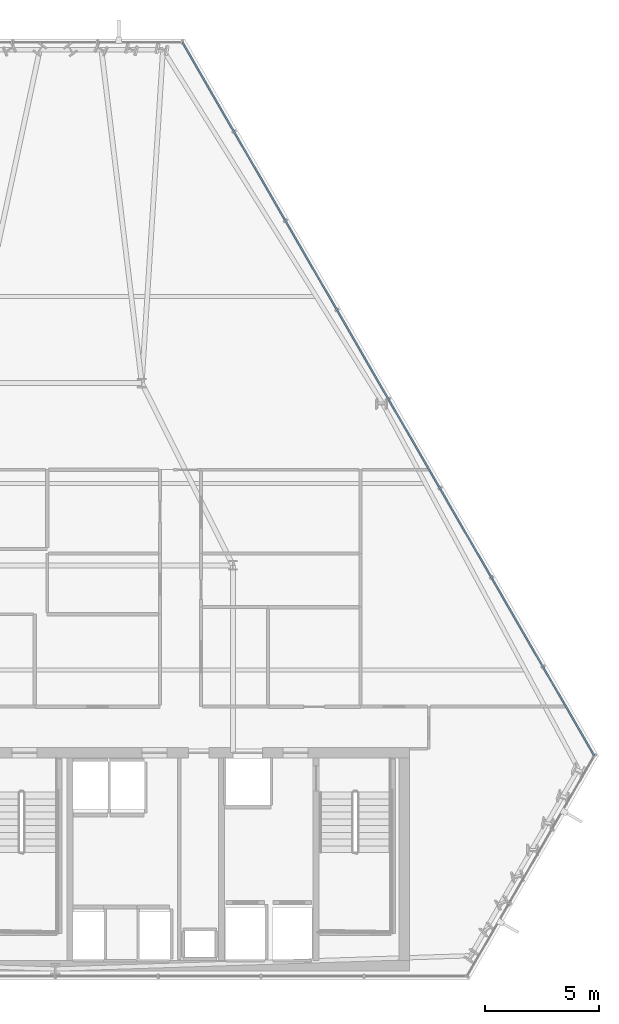
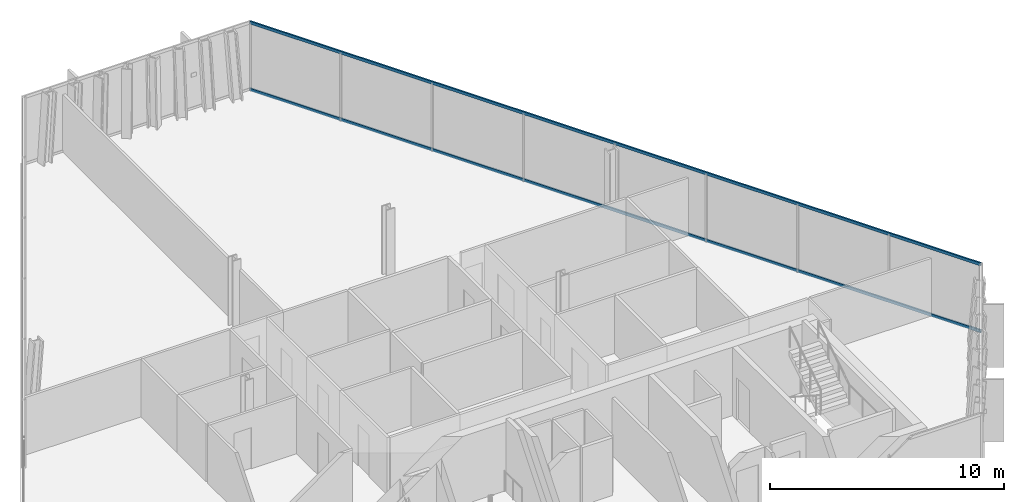
# One storey, part 19 of 32: 2 members, 1 element without a shape of its own.
"""IFC4 building model written with IfcOpenShell, lengths in metres."""

from ifc_helpers import new_model, si_unit, direction, frame, origin, origin_2d, place, context, subcontext, project, spatial, hollow_rectangle, extrude, material, layer, layer_set, material_profile, profile_set, type_object, element, aggregate, save


model = new_model("IFC4")

# Units and contexts
model_context = context("Model", 3, precision=1e-05, world=origin(), true_north=direction((0.0, 1.0)))
body_context = subcontext(model_context, "Body", "Model", "MODEL_VIEW")
ifc_project = project(units=[si_unit("LENGTHUNIT", "METRE"), si_unit("AREAUNIT", "SQUARE_METRE"), si_unit("VOLUMEUNIT", "CUBIC_METRE"), si_unit("PLANEANGLEUNIT", "RADIAN"), si_unit("MASSUNIT", "GRAM", prefix="KILO")], contexts=[model_context])

# Site, building, storey
site_placement = place(None, origin())
site = spatial("IfcSite", under=ifc_project, at=site_placement, CompositionType="ELEMENT")
building_placement = place(site_placement, origin())
building = spatial("IfcBuilding", under=site, at=building_placement, Name="Ndaravel Arena Tower", CompositionType="ELEMENT")
storey_placement = place(building_placement, frame((0.0, 0.0, 157.39990234375)))
storey = spatial("IfcBuildingStorey", under=building, at=storey_placement, Name="L37", CompositionType="ELEMENT", Elevation=157.39990234375)

# Curtain wall, members
ifc_material_1 = material(Name="Aluminium", Category="aluminium")
ifc_layer = layer(ifc_material_1, 0.179931640625)
ifc_layer_set = layer_set([ifc_layer], Name="Aluminium")
curtain_wall_type = type_object("IfcCurtainWallType", Name="CW-SYS-03", PredefinedType="NOTDEFINED", material=ifc_layer_set)
curtain_wall_placement = place(storey_placement, origin())
curtain_wall = element("IfcCurtainWall", 1, at=curtain_wall_placement, inside=storey, type_object=curtain_wall_type, Name="L37 Faceted Crystal Curtain Wall CW-L37-E03", PredefinedType="NOTDEFINED")
ifc_material_2 = material(Name="Aluminium", Category="aluminium")
ifc_material_profile = material_profile(ifc_material_2, hollow_rectangle(XDim=0.074951171875, YDim=0.14990234375, WallThickness=0.00390625, at=origin_2d()), Name="CW TRANSOM 75x150x4")
ifc_profile_set = profile_set([ifc_material_profile], Name="Aluminium")
member_type = type_object("IfcMemberType", Name="MEM-CW-TRN150", PredefinedType="USERDEFINED", material=ifc_profile_set)
member_1_placement = place(storey_placement, frame((65.667724609375, 14.845458984375, 0.0400390625), z_axis=(-0.500000905754, 0.866024880846, 0.0), x_axis=(-0.866024880846, -0.500000905754, 0.0)))
member_1 = element("IfcMember", 2, at=member_1_placement, type_object=member_type, Name="CW-L37-E03 Transom 01", ObjectType="TRANSOM", PredefinedType="USERDEFINED", context=body_context, shape_type="SweptSolid", body=[
    extrude(hollow_rectangle(XDim=0.074951171875, YDim=0.14990234375, WallThickness=0.00390625, at=origin_2d()), origin(), (0.0, 0.0, 1.0), 36.15185546875),
])
member_2_placement = place(storey_placement, frame((65.667724609375, 14.845458984375, 3.5400390625), z_axis=(-0.500000905754, 0.866024880846, 0.0), x_axis=(-0.866024880846, -0.500000905754, 0.0)))
member_2 = element("IfcMember", 3, at=member_2_placement, type_object=member_type, Name="CW-L37-E03 Transom 02", ObjectType="TRANSOM", PredefinedType="USERDEFINED", context=body_context, shape_type="SweptSolid", body=[
    extrude(hollow_rectangle(XDim=0.074951171875, YDim=0.14990234375, WallThickness=0.00390625, at=origin_2d()), origin(), (0.0, 0.0, 1.0), 36.15185546875),
])
aggregate(curtain_wall, [member_1, member_2])

save(model, "model.ifc")
